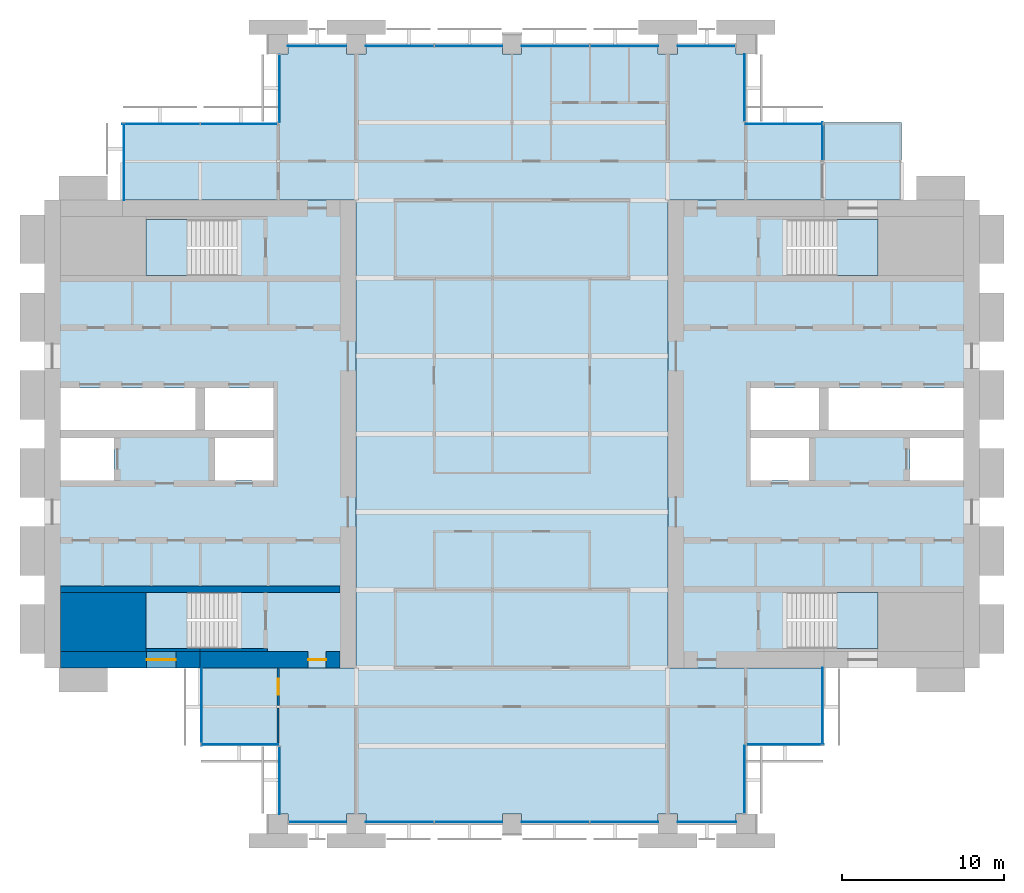
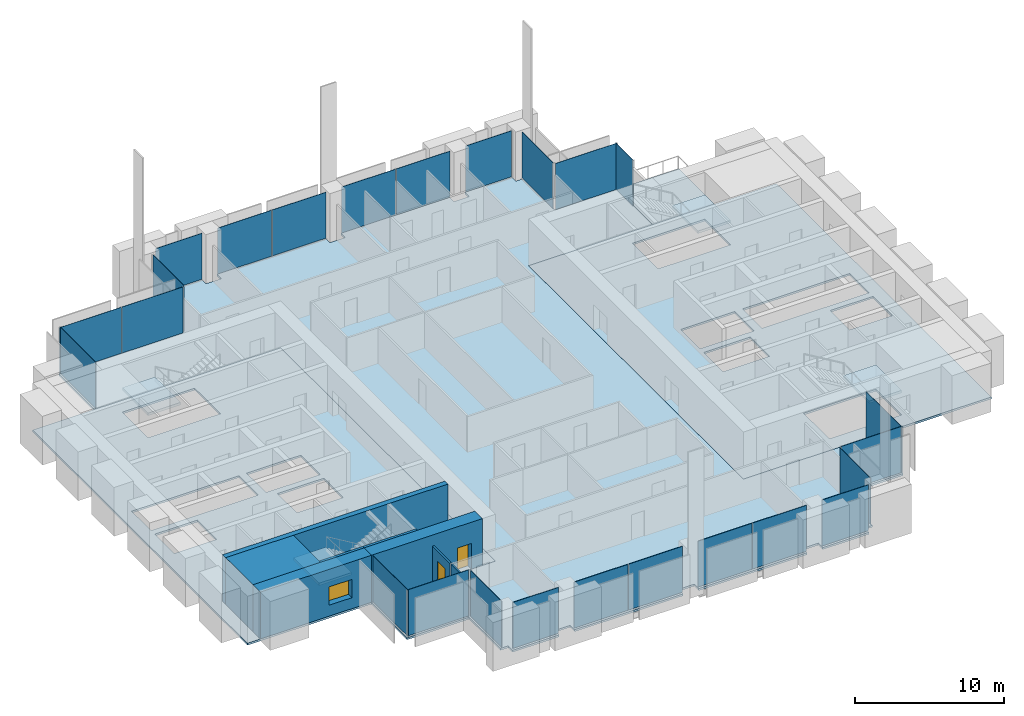
# One storey, part 8 of 14: 25 plates, 8 slabs, 8 walls, 2 doors, 1 window, 3 openings, 18 elements without a shape of their own.
"""IFC4 building model written with IfcOpenShell, lengths in metres."""

import ifcopenshell
import ifcopenshell.guid

model = None  # the IFC model being written
_history = None  # IfcOwnerHistory: only IFC2X3 demands one
_inside = {}  # id of a spatial element -> (the spatial element, [elements in it])
_under = {}  # id of a project, library or spatial element -> (it, [spatial elements below it])
_declared = {}  # id of a project -> (the project, [libraries it declares])
_typed = {}  # id of a type object -> (the type object, [elements of that type])
_made_of = {}  # id of a material, layer set ... -> (it, [elements and type objects made of it])


def new_model(schema):
    """Start an empty IFC model of exactly this schema.

    Asked for "IFC4X3", IfcOpenShell would pick the latest addendum, in which some entities
    have other attributes; the version numbers below select the first issue.
    IFC2X3 requires an IfcOwnerHistory on every rooted entity: one is made here for all.
    """
    global model, _history
    if schema == "IFC4X3":
        model = ifcopenshell.file(schema_version=(4, 3, 0, 0))
    else:
        model = ifcopenshell.file(schema=schema)
    _inside.clear()
    _under.clear()
    _declared.clear()
    _typed.clear()
    _made_of.clear()
    _history = None
    if model.schema == "IFC2X3":
        org = make("IfcOrganization", Name="unknown")
        user = make(
            "IfcPersonAndOrganization",
            ThePerson=make("IfcPerson", FamilyName="unknown"),
            TheOrganization=org,
        )
        app = make(
            "IfcApplication",
            ApplicationDeveloper=org,
            Version="unknown",
            ApplicationFullName="unknown",
            ApplicationIdentifier="unknown",
        )
        _history = make(
            "IfcOwnerHistory",
            OwningUser=user,
            OwningApplication=app,
            ChangeAction="ADDED",
            CreationDate=0,
        )
    return model


def make(cls, **values):
    """One entity of the class cls with the attributes given. An attribute that is None is left unset."""
    return model.create_entity(
        cls, **{name: value for name, value in values.items() if value is not None}
    )


def rooted(cls, **values):
    """An entity with a GlobalId (a new one), such as an element, a storey or a relation."""
    return make(cls, GlobalId=ifcopenshell.guid.new(), OwnerHistory=_history, **values)


def si_unit(unit_type, name, prefix=None):
    """IfcSIUnit, for example si_unit("LENGTHUNIT", "METRE", prefix="MILLI")."""
    return make("IfcSIUnit", UnitType=unit_type, Prefix=prefix, Name=name)


def assignment(units):
    """IfcUnitAssignment: the units of a project."""
    return None if units is None else make("IfcUnitAssignment", Units=units)


def point(xyz):
    """IfcCartesianPoint."""
    return None if xyz is None else make("IfcCartesianPoint", Coordinates=xyz)


def direction(xyz):
    """IfcDirection."""
    return None if xyz is None else make("IfcDirection", DirectionRatios=xyz)


def frame(location, z_axis=None, x_axis=None):
    """IfcAxis2Placement3D, a coordinate frame: its origin and axes. An axis left out is left unset."""
    return make(
        "IfcAxis2Placement3D",
        Location=point(location),
        Axis=direction(z_axis),
        RefDirection=direction(x_axis),
    )


def frame_2d(location, x_axis=None):
    """IfcAxis2Placement2D, a coordinate frame in the plane: its origin and x axis."""
    return make(
        "IfcAxis2Placement2D", Location=point(location), RefDirection=direction(x_axis)
    )


def origin():
    """The frame at (0, 0, 0) with its axes left unset."""
    return frame((0.0, 0.0, 0.0))


def origin_2d():
    """The frame at (0, 0) in the plane with its x axis left unset."""
    return frame_2d((0.0, 0.0))


def place(relative_to, where):
    """IfcLocalPlacement: puts the frame where relative to a parent placement (None: the world)."""
    return make(
        "IfcLocalPlacement", PlacementRelTo=relative_to, RelativePlacement=where
    )


def context(
    kind, dimensions, precision=None, world=None, true_north=None, identifier=None
):
    """IfcGeometricRepresentationContext, for example the 3D "Model" context."""
    return make(
        "IfcGeometricRepresentationContext",
        ContextIdentifier=identifier,
        ContextType=kind,
        CoordinateSpaceDimension=dimensions,
        Precision=precision,
        WorldCoordinateSystem=world,
        TrueNorth=true_north,
    )


def subcontext(parent, identifier, kind, view, scale=None):
    """IfcGeometricRepresentationSubContext, for example "Body" below "Model"."""
    return make(
        "IfcGeometricRepresentationSubContext",
        ContextIdentifier=identifier,
        ContextType=kind,
        ParentContext=parent,
        TargetScale=scale,
        TargetView=view,
    )


def project(units=None, contexts=None):
    """IfcProject with its units and contexts."""
    return rooted(
        "IfcProject",
        Name="project",
        RepresentationContexts=contexts,
        UnitsInContext=assignment(units),
    )


def spatial(cls, under=None, at=None, **own):
    """A site, building, storey or space (cls), placed at a placement, below another one or the project."""
    s = rooted(cls, ObjectPlacement=at, **own)
    if under is not None:
        _under.setdefault(under.id(), (under, []))[1].append(s)
    return s


def polyline(points):
    """IfcPolyline through the points."""
    return make("IfcPolyline", Points=[point(p) for p in points])


def profile(cls, at=None, kind="AREA", **sizes):
    """A parametric profile (cls). Its sizes go by their IFC names, for example OverallWidth=200.0."""
    return make(cls, ProfileType=kind, Position=at, **sizes)


def rectangle(**sizes):
    """IfcRectangleProfileDef."""
    return profile("IfcRectangleProfileDef", **sizes)


def outline(outer, holes=None, kind="AREA"):
    """IfcArbitraryClosedProfileDef: a profile drawn as a closed curve; with holes, ...WithVoids."""
    if holes is None:
        return make("IfcArbitraryClosedProfileDef", ProfileType=kind, OuterCurve=outer)
    return make(
        "IfcArbitraryProfileDefWithVoids",
        ProfileType=kind,
        OuterCurve=outer,
        InnerCurves=holes,
    )


def extrude(swept, where, along, depth):
    """IfcExtrudedAreaSolid: the profile swept, set in the frame where, extruded along a direction by depth."""
    return make(
        "IfcExtrudedAreaSolid",
        SweptArea=swept,
        Position=where,
        ExtrudedDirection=direction(along),
        Depth=depth,
    )


def shape(context_of_items, identifier, shape_type, items):
    """IfcShapeRepresentation: the items that make up one representation, for example the "Body"."""
    return make(
        "IfcShapeRepresentation",
        ContextOfItems=context_of_items,
        RepresentationIdentifier=identifier,
        RepresentationType=shape_type,
        Items=items,
    )


def material(Name=None, Category=None):
    """IfcMaterial."""
    return make("IfcMaterial", Name=Name, Category=Category)


def layer(
    of_material, thickness, ventilated=None, Name=None, Category=None, Priority=None
):
    """IfcMaterialLayer: one layer of a wall or slab, of a material (None: an air gap)."""
    return make(
        "IfcMaterialLayer",
        Material=of_material,
        LayerThickness=thickness,
        IsVentilated=ventilated,
        Name=Name,
        Category=Category,
        Priority=Priority,
    )


def layer_set(layers, Name=None):
    """IfcMaterialLayerSet."""
    return make("IfcMaterialLayerSet", MaterialLayers=layers, LayerSetName=Name)


def made_of(thing, what):
    """Note that an element or type object is made of a material, layer set ...; save() writes the relation."""
    if what is not None:
        _made_of.setdefault(what.id(), (what, []))[1].append(thing)
    return thing


def type_object(cls, material=None, **own):
    """A type object (cls), such as IfcWallType, which elements share."""
    return made_of(rooted(cls, **own), material)


def element(
    cls,
    number,
    at=None,
    inside=None,
    cuts=None,
    type_object=None,
    material=None,
    context=None,
    identifier="Body",
    shape_type=None,
    held_by="IfcProductDefinitionShape",
    body=None,
    shapes=None,
    **own,
):
    """One element of the class cls, such as IfcWall. Its Tag is "e" and its number.

    at: its placement. inside: the storey or other place that contains it. cuts: it is an
    opening in that element (IfcRelVoidsElement). A single representation is given by context,
    identifier, shape_type and body (its items); several are given by shapes. held_by: the class
    of the entity that holds the representations. save() writes the other relations.
    """
    e = rooted(cls, Tag="e%d" % number, ObjectPlacement=at, **own)
    if body is not None:
        shapes = [shape(context, identifier, shape_type, body)]
    if shapes is not None:
        e.Representation = make(held_by, Representations=shapes)
    if inside is not None:
        _inside.setdefault(inside.id(), (inside, []))[1].append(e)
    if cuts is not None:
        rooted(
            "IfcRelVoidsElement", RelatingBuildingElement=cuts, RelatedOpeningElement=e
        )
    if type_object is not None:
        _typed.setdefault(type_object.id(), (type_object, []))[1].append(e)
    return made_of(e, material)


def fill(opening, filler):
    """IfcRelFillsElement: the door or window that sits in an opening."""
    return rooted(
        "IfcRelFillsElement",
        RelatingOpeningElement=opening,
        RelatedBuildingElement=filler,
    )


def aggregate(whole, parts):
    """IfcRelAggregates: a whole, such as a stair, and the parts it consists of."""
    return rooted("IfcRelAggregates", RelatingObject=whole, RelatedObjects=parts)


def save(model, path):
    """Write the relations noted so far, then the file.

    IfcRelAggregates (storeys below a building ...), IfcRelContainedInSpatialStructure (elements
    in a storey), IfcRelDefinesByType, IfcRelAssociatesMaterial and IfcRelDeclares: one each for
    every whole, place, type object, material and project.
    """
    for whole, parts in _under.values():
        aggregate(whole, parts)
    for where, things in _inside.values():
        rooted(
            "IfcRelContainedInSpatialStructure",
            RelatedElements=things,
            RelatingStructure=where,
        )
    for kind, things in _typed.values():
        rooted("IfcRelDefinesByType", RelatedObjects=things, RelatingType=kind)
    for what, things in _made_of.values():
        rooted("IfcRelAssociatesMaterial", RelatedObjects=things, RelatingMaterial=what)
    for by, libraries in _declared.values():
        rooted("IfcRelDeclares", RelatingContext=by, RelatedDefinitions=libraries)
    model.write(path)


model = new_model("IFC4")

# Units and contexts
model_context = context("Model", 3, precision=1e-05, world=origin(), true_north=direction((0.0, 1.0)))
body_context = subcontext(model_context, "Body", "Model", "MODEL_VIEW")
ifc_project = project(units=[si_unit("LENGTHUNIT", "METRE"), si_unit("AREAUNIT", "SQUARE_METRE"), si_unit("VOLUMEUNIT", "CUBIC_METRE"), si_unit("PLANEANGLEUNIT", "RADIAN"), si_unit("MASSUNIT", "GRAM", prefix="KILO")], contexts=[model_context])

# Site, building, storey
site_placement = place(None, origin())
site = spatial("IfcSite", under=ifc_project, at=site_placement, CompositionType="ELEMENT")
building_placement = place(site_placement, origin())
building = spatial("IfcBuilding", under=site, at=building_placement, Name="Baori Bourse Tower", CompositionType="ELEMENT")
storey_placement = place(building_placement, frame((0.0, 0.0, 144.10009765625)))
storey = spatial("IfcBuildingStorey", under=building, at=storey_placement, Name="L31", CompositionType="ELEMENT", Elevation=144.10009765625)

# Curtain wall, plates
ifc_material_1 = material(Name="Pale anodised aluminium", Category="aluminium")
curtain_wall_type_1 = type_object("IfcCurtainWallType", Name="CW1 Curtain wall", PredefinedType="NOTDEFINED", material=ifc_material_1)
curtain_wall_1_placement = place(storey_placement, origin())
curtain_wall_1 = element("IfcCurtainWall", 1, at=curtain_wall_1_placement, inside=storey, type_object=curtain_wall_type_1, Name="Curtain wall CW1 L31 4", PredefinedType="NOTDEFINED")
ifc_material_2 = material(Name="Clear glass", Category="glass")
ifc_layer_1 = layer(ifc_material_2, 0.033935546875)
ifc_layer_set_1 = layer_set([ifc_layer_1], Name="CW1 Curtain wall panel")
plate_type_1 = type_object("IfcPlateType", Name="CW1 Curtain wall panel", PredefinedType="CURTAIN_PANEL", material=ifc_layer_set_1)
plate_1_placement = place(storey_placement, frame((40.77001953125, 47.89990234375, 0.080078125), z_axis=(0.0, 0.0, 1.0), x_axis=(-1.0, 0.0, 0.0)))
plate_1 = element("IfcPlate", 2, at=plate_1_placement, type_object=plate_type_1, Name="Curtain wall CW1 panel", PredefinedType="CURTAIN_PANEL", context=body_context, shape_type="SweptSolid", body=[
    extrude(rectangle(XDim=3.5400390625, YDim=0.033935546875, at=origin_2d()), origin(), (0.0, 0.0, 1.0), 3.760009765625),
])
plate_2_placement = place(storey_placement, frame((35.715087890625, 47.89990234375, 0.080078125), z_axis=(0.0, 0.0, 1.0), x_axis=(-1.0, 0.0, 0.0)))
plate_2 = element("IfcPlate", 3, at=plate_2_placement, type_object=plate_type_1, Name="Curtain wall CW1 panel", PredefinedType="CURTAIN_PANEL", context=body_context, shape_type="SweptSolid", body=[
    extrude(rectangle(XDim=4.169921875, YDim=0.033935546875, at=origin_2d()), origin(), (0.0, 0.0, 1.0), 3.760009765625),
])
plate_3_placement = place(storey_placement, frame((31.485107421875, 47.89990234375, 0.080078125), z_axis=(0.0, 0.0, 1.0), x_axis=(-1.0, 0.0, 0.0)))
plate_3 = element("IfcPlate", 4, at=plate_3_placement, type_object=plate_type_1, Name="Curtain wall CW1 panel", PredefinedType="CURTAIN_PANEL", context=body_context, shape_type="SweptSolid", body=[
    extrude(rectangle(XDim=4.169921875, YDim=0.033935546875, at=origin_2d()), origin(), (0.0, 0.0, 1.0), 3.760009765625),
])
plate_4_placement = place(storey_placement, frame((26.114990234375, 47.89990234375, 0.080078125), z_axis=(0.0, 0.0, 1.0), x_axis=(-1.0, 0.0, 0.0)))
plate_4 = element("IfcPlate", 5, at=plate_4_placement, type_object=plate_type_1, Name="Curtain wall CW1 panel", PredefinedType="CURTAIN_PANEL", context=body_context, shape_type="SweptSolid", body=[
    extrude(rectangle(XDim=4.169921875, YDim=0.033935546875, at=origin_2d()), origin(), (0.0, 0.0, 1.0), 3.760009765625),
])
plate_5_placement = place(storey_placement, frame((21.885009765625, 47.89990234375, 0.080078125), z_axis=(0.0, 0.0, 1.0), x_axis=(-1.0, 0.0, 0.0)))
plate_5 = element("IfcPlate", 6, at=plate_5_placement, type_object=plate_type_1, Name="Curtain wall CW1 panel", PredefinedType="CURTAIN_PANEL", context=body_context, shape_type="SweptSolid", body=[
    extrude(rectangle(XDim=4.169921875, YDim=0.033935546875, at=origin_2d()), origin(), (0.0, 0.0, 1.0), 3.760009765625),
])
plate_6_placement = place(storey_placement, frame((16.800048828125, 47.89990234375, 0.080078125), z_axis=(0.0, 0.0, 1.0), x_axis=(-1.0, 0.0, 0.0)))
plate_6 = element("IfcPlate", 7, at=plate_6_placement, type_object=plate_type_1, Name="Curtain wall CW1 panel", PredefinedType="CURTAIN_PANEL", context=body_context, shape_type="SweptSolid", body=[
    extrude(rectangle(XDim=3.60009765625, YDim=0.033935546875, at=origin_2d()), origin(), (0.0, 0.0, 1.0), 3.760009765625),
])
aggregate(curtain_wall_1, [plate_1, plate_2, plate_3, plate_4, plate_5, plate_6])

curtain_wall_2_placement = place(storey_placement, origin())
curtain_wall_2 = element("IfcCurtainWall", 8, at=curtain_wall_2_placement, inside=storey, type_object=curtain_wall_type_1, Name="Curtain wall CW1 L31 11", PredefinedType="NOTDEFINED")
plate_7_placement = place(storey_placement, frame((16.830078125, 0.10009765625, 0.080078125), z_axis=(0.0, 0.0, 1.0), x_axis=(1.0, 0.0, 0.0)))
plate_7 = element("IfcPlate", 9, at=plate_7_placement, type_object=plate_type_1, Name="Curtain wall CW1 panel", PredefinedType="CURTAIN_PANEL", context=body_context, shape_type="SweptSolid", body=[
    extrude(rectangle(XDim=3.5400390625, YDim=0.033935546875, at=origin_2d()), origin(), (0.0, 0.0, 1.0), 3.760009765625),
])
plate_8_placement = place(storey_placement, frame((21.885009765625, 0.10009765625, 0.080078125), z_axis=(0.0, 0.0, 1.0), x_axis=(1.0, 0.0, 0.0)))
plate_8 = element("IfcPlate", 10, at=plate_8_placement, type_object=plate_type_1, Name="Curtain wall CW1 panel", PredefinedType="CURTAIN_PANEL", context=body_context, shape_type="SweptSolid", body=[
    extrude(rectangle(XDim=4.169921875, YDim=0.033935546875, at=origin_2d()), origin(), (0.0, 0.0, 1.0), 3.760009765625),
])
plate_9_placement = place(storey_placement, frame((26.114990234375, 0.10009765625, 0.080078125), z_axis=(0.0, 0.0, 1.0), x_axis=(1.0, 0.0, 0.0)))
plate_9 = element("IfcPlate", 11, at=plate_9_placement, type_object=plate_type_1, Name="Curtain wall CW1 panel", PredefinedType="CURTAIN_PANEL", context=body_context, shape_type="SweptSolid", body=[
    extrude(rectangle(XDim=4.169921875, YDim=0.033935546875, at=origin_2d()), origin(), (0.0, 0.0, 1.0), 3.760009765625),
])
plate_10_placement = place(storey_placement, frame((31.485107421875, 0.10009765625, 0.080078125), z_axis=(0.0, 0.0, 1.0), x_axis=(1.0, 0.0, 0.0)))
plate_10 = element("IfcPlate", 12, at=plate_10_placement, type_object=plate_type_1, Name="Curtain wall CW1 panel", PredefinedType="CURTAIN_PANEL", context=body_context, shape_type="SweptSolid", body=[
    extrude(rectangle(XDim=4.169921875, YDim=0.033935546875, at=origin_2d()), origin(), (0.0, 0.0, 1.0), 3.760009765625),
])
plate_11_placement = place(storey_placement, frame((35.715087890625, 0.10009765625, 0.080078125), z_axis=(0.0, 0.0, 1.0), x_axis=(1.0, 0.0, 0.0)))
plate_11 = element("IfcPlate", 13, at=plate_11_placement, type_object=plate_type_1, Name="Curtain wall CW1 panel", PredefinedType="CURTAIN_PANEL", context=body_context, shape_type="SweptSolid", body=[
    extrude(rectangle(XDim=4.169921875, YDim=0.033935546875, at=origin_2d()), origin(), (0.0, 0.0, 1.0), 3.760009765625),
])
plate_12_placement = place(storey_placement, frame((40.800048828125, 0.10009765625, 0.080078125), z_axis=(0.0, 0.0, 1.0), x_axis=(1.0, 0.0, 0.0)))
plate_12 = element("IfcPlate", 14, at=plate_12_placement, type_object=plate_type_1, Name="Curtain wall CW1 panel", PredefinedType="CURTAIN_PANEL", context=body_context, shape_type="SweptSolid", body=[
    extrude(rectangle(XDim=3.60009765625, YDim=0.033935546875, at=origin_2d()), origin(), (0.0, 0.0, 1.0), 3.760009765625),
])
aggregate(curtain_wall_2, [plate_7, plate_8, plate_9, plate_10, plate_11, plate_12])

# Curtain wall, plate
ifc_material_3 = material(Name="Pale anodised aluminium", Category="aluminium")
curtain_wall_type_2 = type_object("IfcCurtainWallType", Name="CW2 Curtain wall", PredefinedType="NOTDEFINED", material=ifc_material_3)
curtain_wall_3_placement = place(storey_placement, origin())
curtain_wall_3 = element("IfcCurtainWall", 15, at=curtain_wall_3_placement, inside=storey, type_object=curtain_wall_type_2, Name="Curtain wall CW2 L31 1", PredefinedType="NOTDEFINED")
ifc_material_4 = material(Name="Clear glass", Category="glass")
ifc_layer_2 = layer(ifc_material_4, 0.030029296875)
ifc_layer_set_2 = layer_set([ifc_layer_2], Name="CW2 Curtain wall panel")
plate_type_2 = type_object("IfcPlateType", Name="CW2 Curtain wall panel", PredefinedType="CURTAIN_PANEL", material=ifc_layer_set_2)
plate_13_placement = place(storey_placement, frame((47.909912109375, 42.027587890625, 0.06982421875), z_axis=(0.0, 0.0, 1.0), x_axis=(0.0, 1.0, 0.0)))
plate_13 = element("IfcPlate", 16, at=plate_13_placement, type_object=plate_type_2, Name="Curtain wall CW2 panel", PredefinedType="CURTAIN_PANEL", context=body_context, shape_type="SweptSolid", body=[
    extrude(rectangle(XDim=2.344970703125, YDim=0.030029296875, at=origin_2d()), origin(), (0.0, 0.0, 1.0), 3.77001953125),
])
aggregate(curtain_wall_3, [plate_13])

curtain_wall_4_placement = place(storey_placement, origin())
curtain_wall_4 = element("IfcCurtainWall", 17, at=curtain_wall_4_placement, inside=storey, type_object=curtain_wall_type_2, Name="Curtain wall CW2 L31 2", PredefinedType="NOTDEFINED")
plate_14_placement = place(storey_placement, frame((45.572509765625, 43.110107421875, 0.06982421875), z_axis=(0.0, 0.0, 1.0), x_axis=(-1.0, 0.0, 0.0)))
plate_14 = element("IfcPlate", 18, at=plate_14_placement, type_object=plate_type_2, Name="Curtain wall CW2 panel", PredefinedType="CURTAIN_PANEL", context=body_context, shape_type="SweptSolid", body=[
    extrude(rectangle(XDim=4.7451171875, YDim=0.030029296875, at=origin_2d()), origin(), (0.0, 0.0, 1.0), 3.77001953125),
])
aggregate(curtain_wall_4, [plate_14])

curtain_wall_5_placement = place(storey_placement, origin())
curtain_wall_5 = element("IfcCurtainWall", 19, at=curtain_wall_5_placement, inside=storey, type_object=curtain_wall_type_2, Name="Curtain wall CW2 L31 3", PredefinedType="NOTDEFINED")
plate_15_placement = place(storey_placement, frame((43.110107421875, 45.327392578125, 0.06982421875), z_axis=(0.0, 0.0, 1.0), x_axis=(0.0, 1.0, 0.0)))
plate_15 = element("IfcPlate", 20, at=plate_15_placement, type_object=plate_type_2, Name="Curtain wall CW2 panel", PredefinedType="CURTAIN_PANEL", context=body_context, shape_type="SweptSolid", body=[
    extrude(rectangle(XDim=4.14501953125, YDim=0.030029296875, at=origin_2d()), origin(), (0.0, 0.0, 1.0), 3.77001953125),
])
aggregate(curtain_wall_5, [plate_15])

curtain_wall_6_placement = place(storey_placement, origin())
curtain_wall_6 = element("IfcCurtainWall", 21, at=curtain_wall_6_placement, inside=storey, type_object=curtain_wall_type_2, Name="Curtain wall CW2 L31 5", PredefinedType="NOTDEFINED")
plate_16_placement = place(storey_placement, frame((14.489990234375, 45.2724609375, 0.06982421875), z_axis=(0.0, 0.0, 1.0), x_axis=(0.0, -1.0, 0.0)))
plate_16 = element("IfcPlate", 22, at=plate_16_placement, type_object=plate_type_2, Name="Curtain wall CW2 panel", PredefinedType="CURTAIN_PANEL", context=body_context, shape_type="SweptSolid", body=[
    extrude(rectangle(XDim=4.14501953125, YDim=0.030029296875, at=origin_2d()), origin(), (0.0, 0.0, 1.0), 3.77001953125),
])
aggregate(curtain_wall_6, [plate_16])

# Curtain wall, plates
curtain_wall_7_placement = place(storey_placement, origin())
curtain_wall_7 = element("IfcCurtainWall", 23, at=curtain_wall_7_placement, inside=storey, type_object=curtain_wall_type_2, Name="Curtain wall CW2 L31 6", PredefinedType="NOTDEFINED")
plate_17_placement = place(storey_placement, frame((11.986328125, 43.110107421875, 0.06982421875), z_axis=(0.0, 0.0, 1.0), x_axis=(-1.0, 0.0, 0.0)))
plate_17 = element("IfcPlate", 24, at=plate_17_placement, type_object=plate_type_2, Name="Curtain wall CW2 panel", PredefinedType="CURTAIN_PANEL", context=body_context, shape_type="SweptSolid", body=[
    extrude(rectangle(XDim=4.717529296875, YDim=0.030029296875, at=origin_2d()), origin(), (0.0, 0.0, 1.0), 3.77001953125),
])
plate_18_placement = place(storey_placement, frame((7.186279296875, 43.110107421875, 0.06982421875), z_axis=(0.0, 0.0, 1.0), x_axis=(-1.0, 0.0, 0.0)))
plate_18 = element("IfcPlate", 25, at=plate_18_placement, type_object=plate_type_2, Name="Curtain wall CW2 panel", PredefinedType="CURTAIN_PANEL", context=body_context, shape_type="SweptSolid", body=[
    extrude(rectangle(XDim=4.7724609375, YDim=0.030029296875, at=origin_2d()), origin(), (0.0, 0.0, 1.0), 3.77001953125),
])
aggregate(curtain_wall_7, [plate_17, plate_18])

# Curtain wall, plate
curtain_wall_8_placement = place(storey_placement, origin())
curtain_wall_8 = element("IfcCurtainWall", 26, at=curtain_wall_8_placement, inside=storey, type_object=curtain_wall_type_2, Name="Curtain wall CW2 L31 7", PredefinedType="NOTDEFINED")
plate_19_placement = place(storey_placement, frame((4.889892578125, 40.7724609375, 0.06982421875), z_axis=(0.0, 0.0, 1.0), x_axis=(0.0, -1.0, 0.0)))
plate_19 = element("IfcPlate", 27, at=plate_19_placement, type_object=plate_type_2, Name="Curtain wall CW2 panel", PredefinedType="CURTAIN_PANEL", context=body_context, shape_type="SweptSolid", body=[
    extrude(rectangle(XDim=4.7451171875, YDim=0.030029296875, at=origin_2d()), origin(), (0.0, 0.0, 1.0), 3.77001953125),
])
aggregate(curtain_wall_8, [plate_19])

curtain_wall_9_placement = place(storey_placement, origin())
curtain_wall_9 = element("IfcCurtainWall", 28, at=curtain_wall_9_placement, inside=storey, type_object=curtain_wall_type_2, Name="Curtain wall CW2 L31 8", PredefinedType="NOTDEFINED")
plate_20_placement = place(storey_placement, frame((9.68994140625, 7.172607421875, 0.06982421875), z_axis=(0.0, 0.0, 1.0), x_axis=(0.0, -1.0, 0.0)))
plate_20 = element("IfcPlate", 29, at=plate_20_placement, type_object=plate_type_2, Name="Curtain wall CW2 panel", PredefinedType="CURTAIN_PANEL", context=body_context, shape_type="SweptSolid", body=[
    extrude(rectangle(XDim=4.7451171875, YDim=0.030029296875, at=origin_2d()), origin(), (0.0, 0.0, 1.0), 3.77001953125),
])
aggregate(curtain_wall_9, [plate_20])

curtain_wall_10_placement = place(storey_placement, origin())
curtain_wall_10 = element("IfcCurtainWall", 30, at=curtain_wall_10_placement, inside=storey, type_object=curtain_wall_type_2, Name="Curtain wall CW2 L31 9", PredefinedType="NOTDEFINED")
plate_21_placement = place(storey_placement, frame((12.027587890625, 4.889892578125, 0.06982421875), z_axis=(0.0, 0.0, 1.0), x_axis=(1.0, 0.0, 0.0)))
plate_21 = element("IfcPlate", 31, at=plate_21_placement, type_object=plate_type_2, Name="Curtain wall CW2 panel", PredefinedType="CURTAIN_PANEL", context=body_context, shape_type="SweptSolid", body=[
    extrude(rectangle(XDim=4.7451171875, YDim=0.030029296875, at=origin_2d()), origin(), (0.0, 0.0, 1.0), 3.77001953125),
])
aggregate(curtain_wall_10, [plate_21])

curtain_wall_11_placement = place(storey_placement, origin())
curtain_wall_11 = element("IfcCurtainWall", 32, at=curtain_wall_11_placement, inside=storey, type_object=curtain_wall_type_2, Name="Curtain wall CW2 L31 10", PredefinedType="NOTDEFINED")
plate_22_placement = place(storey_placement, frame((14.489990234375, 2.672607421875, 0.06982421875), z_axis=(0.0, 0.0, 1.0), x_axis=(0.0, -1.0, 0.0)))
plate_22 = element("IfcPlate", 33, at=plate_22_placement, type_object=plate_type_2, Name="Curtain wall CW2 panel", PredefinedType="CURTAIN_PANEL", context=body_context, shape_type="SweptSolid", body=[
    extrude(rectangle(XDim=4.14501953125, YDim=0.030029296875, at=origin_2d()), origin(), (0.0, 0.0, 1.0), 3.77001953125),
])
aggregate(curtain_wall_11, [plate_22])

curtain_wall_12_placement = place(storey_placement, origin())
curtain_wall_12 = element("IfcCurtainWall", 34, at=curtain_wall_12_placement, inside=storey, type_object=curtain_wall_type_2, Name="Curtain wall CW2 L31 12", PredefinedType="NOTDEFINED")
plate_23_placement = place(storey_placement, frame((43.110107421875, 2.7275390625, 0.06982421875), z_axis=(0.0, 0.0, 1.0), x_axis=(0.0, 1.0, 0.0)))
plate_23 = element("IfcPlate", 35, at=plate_23_placement, type_object=plate_type_2, Name="Curtain wall CW2 panel", PredefinedType="CURTAIN_PANEL", context=body_context, shape_type="SweptSolid", body=[
    extrude(rectangle(XDim=4.14501953125, YDim=0.030029296875, at=origin_2d()), origin(), (0.0, 0.0, 1.0), 3.77001953125),
])
aggregate(curtain_wall_12, [plate_23])

curtain_wall_13_placement = place(storey_placement, origin())
curtain_wall_13 = element("IfcCurtainWall", 36, at=curtain_wall_13_placement, inside=storey, type_object=curtain_wall_type_2, Name="Curtain wall CW2 L31 13", PredefinedType="NOTDEFINED")
plate_24_placement = place(storey_placement, frame((45.62744140625, 4.889892578125, 0.06982421875), z_axis=(0.0, 0.0, 1.0), x_axis=(1.0, 0.0, 0.0)))
plate_24 = element("IfcPlate", 37, at=plate_24_placement, type_object=plate_type_2, Name="Curtain wall CW2 panel", PredefinedType="CURTAIN_PANEL", context=body_context, shape_type="SweptSolid", body=[
    extrude(rectangle(XDim=4.7451171875, YDim=0.030029296875, at=origin_2d()), origin(), (0.0, 0.0, 1.0), 3.77001953125),
])
aggregate(curtain_wall_13, [plate_24])

curtain_wall_14_placement = place(storey_placement, origin())
curtain_wall_14 = element("IfcCurtainWall", 38, at=curtain_wall_14_placement, inside=storey, type_object=curtain_wall_type_2, Name="Curtain wall CW2 L31 14", PredefinedType="NOTDEFINED")
plate_25_placement = place(storey_placement, frame((47.909912109375, 7.2275390625, 0.06982421875), z_axis=(0.0, 0.0, 1.0), x_axis=(0.0, 1.0, 0.0)))
plate_25 = element("IfcPlate", 39, at=plate_25_placement, type_object=plate_type_2, Name="Curtain wall CW2 panel", PredefinedType="CURTAIN_PANEL", context=body_context, shape_type="SweptSolid", body=[
    extrude(rectangle(XDim=4.7451171875, YDim=0.030029296875, at=origin_2d()), origin(), (0.0, 0.0, 1.0), 3.77001953125),
])
aggregate(curtain_wall_14, [plate_25])

# Slabs
ifc_material_5 = material(Name="Concrete f'c 50 MPa", Category="concrete")
ifc_layer_3 = layer(ifc_material_5, 0.159912109375)
ifc_layer_set_3 = layer_set([ifc_layer_3], Name="Core slab 160")
slab_type_1 = type_object("IfcSlabType", Name="Core slab 160", PredefinedType="FLOOR", material=ifc_layer_set_3)
slab_1_placement = place(storey_placement, frame((0.0, 0.0, -0.16015625)))
element("IfcSlab", 40, at=slab_1_placement, inside=storey, type_object=slab_type_1, Name="Core floor slab W01", PredefinedType="FLOOR", context=body_context, shape_type="SweptSolid", body=[
    extrude(outline(polyline([(0.0, 38.39990234375), (0.0, 9.60009765625), (19.199951171875, 9.60009765625), (19.199951171875, 38.39990234375), (0.0, 38.39990234375)]), holes=[polyline([(10.5, 21.14990234375), (10.5, 23.75), (14.10009765625, 23.75), (14.10009765625, 21.14990234375), (10.5, 21.14990234375)]), polyline([(14.10009765625, 24.25), (9.89990234375, 24.25), (9.89990234375, 26.85009765625), (14.10009765625, 26.85009765625), (14.10009765625, 24.25)]), polyline([(6.25, 14.25), (11.84912109375, 14.25), (11.84912109375, 10.800048828125), (6.25, 10.800048828125), (6.25, 14.25)]), polyline([(11.84912109375, 37.199951171875), (11.84912109375, 33.75), (6.25, 33.75), (6.25, 37.199951171875), (11.84912109375, 37.199951171875)]), polyline([(1.0, 26.85009765625), (9.300048828125, 26.85009765625), (9.300048828125, 24.25), (1.0, 24.25), (1.0, 26.85009765625)]), polyline([(4.300048828125, 23.75), (4.300048828125, 21.14990234375), (1.0, 21.14990234375), (1.0, 23.75), (4.300048828125, 23.75)])]), origin(), (0.0, 0.0, 1.0), 0.16015625),
])
slab_2_placement = place(storey_placement, frame((0.0, 0.0, -0.16015625)))
element("IfcSlab", 41, at=slab_2_placement, inside=storey, type_object=slab_type_1, Name="Core floor slab E01", PredefinedType="FLOOR", context=body_context, shape_type="SweptSolid", body=[
    extrude(outline(polyline([(57.60009765625, 38.39990234375), (38.39990234375, 38.39990234375), (38.39990234375, 9.60009765625), (57.60009765625, 9.60009765625), (57.60009765625, 38.39990234375)]), holes=[polyline([(56.60009765625, 21.14990234375), (53.300048828125, 21.14990234375), (53.300048828125, 23.75), (56.60009765625, 23.75), (56.60009765625, 21.14990234375)]), polyline([(56.60009765625, 26.85009765625), (56.60009765625, 24.25), (48.300048828125, 24.25), (48.300048828125, 26.85009765625), (56.60009765625, 26.85009765625)]), polyline([(45.750732421875, 14.25), (51.35009765625, 14.25), (51.35009765625, 10.800048828125), (45.750732421875, 10.800048828125), (45.750732421875, 14.25)]), polyline([(51.35009765625, 37.199951171875), (51.35009765625, 33.75), (45.750732421875, 33.75), (45.750732421875, 37.199951171875), (51.35009765625, 37.199951171875)]), polyline([(43.5, 24.25), (43.5, 26.85009765625), (47.699951171875, 26.85009765625), (47.699951171875, 24.25), (43.5, 24.25)]), polyline([(43.5, 23.75), (47.10009765625, 23.75), (47.10009765625, 21.14990234375), (43.5, 21.14990234375), (43.5, 23.75)])]), origin(), (0.0, 0.0, 1.0), 0.16015625),
])

# Stair, slab
ifc_material_6 = material(Name="Concrete f'c 50 MPa", Category="concrete")
stair_type = type_object("IfcStairType", Name="Core stair", PredefinedType="HALF_TURN_STAIR", material=ifc_material_6)
stair_1_placement = place(storey_placement, origin())
stair_1 = element("IfcStair", 42, at=stair_1_placement, inside=storey, type_object=stair_type, Name="L31 Stair WA", PredefinedType="HALF_TURN_STAIR")
ifc_material_7 = material(Name="Concrete f'c 50 MPa", Category="concrete")
slab_type_2 = type_object("IfcSlabType", Name="Core stair landing", PredefinedType="LANDING", material=ifc_material_7)
slab_3_placement = place(storey_placement, frame((0.0, 0.0, 1.7998046875)))
slab_3 = element("IfcSlab", 43, at=slab_3_placement, type_object=slab_type_2, Name="ST1 landing 1", PredefinedType="LANDING", context=body_context, shape_type="SweptSolid", body=[
    extrude(outline(polyline([(8.77001953125, 14.25), (6.25, 14.25), (6.25, 10.800048828125), (8.77001953125, 10.800048828125), (8.77001953125, 14.25)])), origin(), (0.0, 0.0, 1.0), 0.2001953125),
])
aggregate(stair_1, [slab_3])

stair_2_placement = place(storey_placement, origin())
stair_2 = element("IfcStair", 44, at=stair_2_placement, inside=storey, type_object=stair_type, Name="L31 Stair WB", PredefinedType="HALF_TURN_STAIR")
slab_4_placement = place(storey_placement, frame((0.0, 0.0, 1.7998046875)))
slab_4 = element("IfcSlab", 45, at=slab_4_placement, type_object=slab_type_2, Name="ST2 landing 1", PredefinedType="LANDING", context=body_context, shape_type="SweptSolid", body=[
    extrude(outline(polyline([(8.77001953125, 37.199951171875), (6.25, 37.199951171875), (6.25, 33.75), (8.77001953125, 33.75), (8.77001953125, 37.199951171875)])), origin(), (0.0, 0.0, 1.0), 0.2001953125),
])
aggregate(stair_2, [slab_4])

stair_3_placement = place(storey_placement, origin())
stair_3 = element("IfcStair", 46, at=stair_3_placement, inside=storey, type_object=stair_type, Name="L31 Stair EA", PredefinedType="HALF_TURN_STAIR")
slab_5_placement = place(storey_placement, frame((0.0, 0.0, 1.7998046875)))
slab_5 = element("IfcSlab", 47, at=slab_5_placement, type_object=slab_type_2, Name="ST3 landing 1", PredefinedType="LANDING", context=body_context, shape_type="SweptSolid", body=[
    extrude(outline(polyline([(48.830078125, 10.800048828125), (51.35009765625, 10.800048828125), (51.35009765625, 14.25), (48.830078125, 14.25), (48.830078125, 10.800048828125)])), origin(), (0.0, 0.0, 1.0), 0.2001953125),
])
aggregate(stair_3, [slab_5])

stair_4_placement = place(storey_placement, origin())
stair_4 = element("IfcStair", 48, at=stair_4_placement, inside=storey, type_object=stair_type, Name="L31 Stair EB", PredefinedType="HALF_TURN_STAIR")
slab_6_placement = place(storey_placement, frame((0.0, 0.0, 1.7998046875)))
slab_6 = element("IfcSlab", 49, at=slab_6_placement, type_object=slab_type_2, Name="ST4 landing 1", PredefinedType="LANDING", context=body_context, shape_type="SweptSolid", body=[
    extrude(outline(polyline([(48.830078125, 33.75), (51.35009765625, 33.75), (51.35009765625, 37.199951171875), (48.830078125, 37.199951171875), (48.830078125, 33.75)])), origin(), (0.0, 0.0, 1.0), 0.2001953125),
])
aggregate(stair_4, [slab_6])

# Slabs
ifc_material_8 = material(Name="Concrete f'c 40 MPa", Category="concrete")
ifc_layer_4 = layer(ifc_material_8, 0.159912109375)
ifc_layer_set_4 = layer_set([ifc_layer_4], Name="Floor slab 160")
slab_type_3 = type_object("IfcSlabType", Name="Floor slab 160", PredefinedType="FLOOR", material=ifc_layer_set_4)
slab_7_placement = place(storey_placement, frame((0.0, 0.0, -0.16015625)))
element("IfcSlab", 50, at=slab_7_placement, inside=storey, type_object=slab_type_3, Name="Floor slab L31", PredefinedType="FLOOR", context=body_context, shape_type="SweptSolid", body=[
    extrude(outline(polyline([(14.39990234375, 4.800048828125), (9.60009765625, 4.800048828125), (9.60009765625, 9.60009765625), (19.199951171875, 9.60009765625), (19.199951171875, 38.39990234375), (4.800048828125, 38.39990234375), (4.800048828125, 43.199951171875), (14.39990234375, 43.199951171875), (14.39990234375, 47.39990234375), (15.0, 47.39990234375), (15.0, 48.0), (18.60009765625, 48.0), (18.60009765625, 47.39990234375), (19.800048828125, 47.39990234375), (19.800048828125, 48.0), (28.199951171875, 48.0), (28.199951171875, 47.39990234375), (29.39990234375, 47.39990234375), (29.39990234375, 48.0), (37.800048828125, 48.0), (37.800048828125, 47.39990234375), (39.0, 47.39990234375), (39.0, 48.0), (42.60009765625, 48.0), (42.60009765625, 47.39990234375), (43.199951171875, 47.39990234375), (43.199951171875, 43.199951171875), (48.0, 43.199951171875), (48.0, 38.39990234375), (38.39990234375, 38.39990234375), (38.39990234375, 9.60009765625), (48.0, 9.60009765625), (48.0, 4.800048828125), (43.199951171875, 4.800048828125), (43.199951171875, 0.60009765625), (42.60009765625, 0.60009765625), (42.60009765625, 0.0), (39.0, 0.0), (39.0, 0.60009765625), (37.800048828125, 0.60009765625), (37.800048828125, 0.0), (29.39990234375, 0.0), (29.39990234375, 0.60009765625), (28.199951171875, 0.60009765625), (28.199951171875, 0.0), (19.800048828125, 0.0), (19.800048828125, 0.60009765625), (18.60009765625, 0.60009765625), (18.60009765625, 0.0), (15.0, 0.0), (15.0, 0.60009765625), (14.39990234375, 0.60009765625), (14.39990234375, 4.800048828125)])), origin(), (0.0, 0.0, 1.0), 0.16015625),
])
ifc_material_9 = material(Name="Concrete f'c 40 MPa", Category="concrete")
ifc_layer_5 = layer(ifc_material_9, 0.159912109375)
ifc_layer_set_5 = layer_set([ifc_layer_5], Name="Terrace slab 160")
slab_type_4 = type_object("IfcSlabType", Name="Terrace slab 160", PredefinedType="ROOF", material=ifc_layer_set_5)
slab_8_placement = place(storey_placement, frame((0.0, 0.0, -0.16015625)))
element("IfcSlab", 51, at=slab_8_placement, inside=storey, type_object=slab_type_4, Name="Terrace slab NE L31", PredefinedType="ROOF", context=body_context, shape_type="SweptSolid", body=[
    extrude(outline(polyline([(48.0029296875, 43.197021484375), (52.797119140625, 43.197021484375), (52.797119140625, 38.403076171875), (48.0029296875, 38.403076171875), (48.0029296875, 43.197021484375)])), origin(), (0.0, 0.0, 1.0), 0.16015625),
])

# Wall
ifc_material_10 = material(Name="Concrete f'c 60 MPa", Category="concrete")
wall_type_1 = type_object("IfcWallType", Name="Core corner block f'c 60", PredefinedType="SHEAR", material=ifc_material_10)
wall_1_placement = place(storey_placement, frame((1.0, 12.425048828125, 0.0), z_axis=(0.0, 0.0, 1.0), x_axis=(1.0, 0.0, 0.0)))
element("IfcWall", 52, at=wall_1_placement, inside=storey, type_object=wall_type_1, Name="Core wall W05", PredefinedType="SHEAR", context=body_context, shape_type="SweptSolid", body=[
    extrude(rectangle(XDim=5.25, YDim=3.64990234375, at=frame_2d((2.625, 0.0))), origin(), (0.0, 0.0, 1.0), 3.83984375),
])

# Wall, opening, window
ifc_material_11 = material(Name="Concrete f'c 60 MPa", Category="concrete")
ifc_layer_6 = layer(ifc_material_11, 1.0)
ifc_layer_set_6 = layer_set([ifc_layer_6], Name="Core wall 1000 f'c 60")
wall_type_2 = type_object("IfcWallType", Name="Core wall 1000 f'c 60", PredefinedType="SHEAR", material=ifc_layer_set_6)
wall_2_placement = place(storey_placement, frame((9.60009765625, 10.10009765625, 0.0), z_axis=(0.0, 0.0, 1.0), x_axis=(-1.0, 0.0, 0.0)))
wall_2 = element("IfcWall", 53, at=wall_2_placement, inside=storey, type_object=wall_type_2, Name="Core wall W02", PredefinedType="SHEAR", context=body_context, shape_type="SweptSolid", body=[
    extrude(rectangle(XDim=8.60009765625, YDim=1.0, at=frame_2d((4.300048828125, 0.0))), origin(), (0.0, 0.0, 1.0), 3.83984375),
])
opening_1_placement = place(wall_2_placement, frame((1.5, 0.0, 0.89990234375)))
opening_1 = element("IfcOpeningElement", 54, at=opening_1_placement, cuts=wall_2, Name="Opening L31-KW103", PredefinedType="OPENING", context=body_context, shape_type="SweptSolid", body=[
    extrude(rectangle(XDim=1.800048828125, YDim=1.5, at=frame_2d((0.89990234375, 0.75))), frame((0.0, 0.510009765625, 0.0), z_axis=(0.0, -1.0, 0.0), x_axis=(1.0, 0.0, 0.0)), (0.0, 0.0, 1.0), 1.02001953125),
])
ifc_material_12 = material(Name="Pale anodised aluminium", Category="aluminium")
window_type = type_object("IfcWindowType", Name="Stair window 1800 x 1500", PartitioningType="SINGLE_PANEL", PredefinedType="WINDOW", material=ifc_material_12)
window_placement = place(opening_1_placement, origin())
window = element("IfcWindow", 55, at=window_placement, inside=storey, type_object=window_type, Name="Stair window W L31 3", OverallHeight=1.5, OverallWidth=1.800048828125, PartitioningType="SINGLE_PANEL", PredefinedType="WINDOW", context=body_context, shape_type="SweptSolid", body=[
    extrude(rectangle(XDim=1.800048828125, YDim=1.5, at=frame_2d((0.89990234375, 0.75))), frame((0.0, 0.030029296875, 0.0), z_axis=(0.0, -1.0, 0.0), x_axis=(1.0, 0.0, 0.0)), (0.0, 0.0, 1.0), 0.06005859375),
])
fill(opening_1, window)

# Wall, opening, door
wall_3_placement = place(storey_placement, frame((18.199951171875, 10.10009765625, 0.0), z_axis=(0.0, 0.0, 1.0), x_axis=(-1.0, 0.0, 0.0)))
wall_3 = element("IfcWall", 56, at=wall_3_placement, inside=storey, type_object=wall_type_2, Name="Core wall W03", PredefinedType="SHEAR", context=body_context, shape_type="SweptSolid", body=[
    extrude(rectangle(XDim=8.599853515625, YDim=1.0, at=frame_2d((4.2998046875, 0.0))), origin(), (0.0, 0.0, 1.0), 3.83984375),
])
opening_2_placement = place(wall_3_placement, frame((0.85009765625, 0.0, 0.0)))
opening_2 = element("IfcOpeningElement", 57, at=opening_2_placement, cuts=wall_3, Name="Opening L31-D102", PredefinedType="OPENING", context=body_context, shape_type="SweptSolid", body=[
    extrude(rectangle(XDim=1.10009765625, YDim=2.10009765625, at=frame_2d((0.550048828125, 1.050048828125))), frame((0.0, 0.510009765625, 0.0), z_axis=(0.0, -1.0, 0.0), x_axis=(1.0, 0.0, 0.0)), (0.0, 0.0, 1.0), 1.02001953125),
])
ifc_material_13 = material(Name="Painted steel door", Category="steel")
door_type_1 = type_object("IfcDoorType", Name="Stair door 1100", OperationType="SINGLE_SWING_LEFT", PredefinedType="DOOR", material=ifc_material_13)
door_1_placement = place(opening_2_placement, origin())
door_1 = element("IfcDoor", 58, at=door_1_placement, inside=storey, type_object=door_type_1, Name="Stair vestibule door A W L31", OperationType="SINGLE_SWING_LEFT", OverallHeight=2.10009765625, OverallWidth=1.10009765625, PredefinedType="DOOR", context=body_context, shape_type="SweptSolid", body=[
    extrude(rectangle(XDim=1.10009765625, YDim=2.10009765625, at=frame_2d((0.550048828125, 1.050048828125))), frame((0.0, 0.02490234375, 0.0), z_axis=(0.0, -1.0, 0.0), x_axis=(1.0, 0.0, 0.0)), (0.0, 0.0, 1.0), 0.050048828125),
])
fill(opening_2, door_1)

ifc_material_14 = material(Name="Gypsum board partition")
ifc_layer_7 = layer(ifc_material_14, 0.14990234375)
ifc_layer_set_7 = layer_set([ifc_layer_7], Name="Corridor partition 150")
wall_type_3 = type_object("IfcWallType", Name="Corridor partition 150", PredefinedType="PARTITIONING", material=ifc_layer_set_7)
wall_4_placement = place(storey_placement, frame((14.39990234375, 7.27490234375, 0.0), z_axis=(0.0, 0.0, 1.0), x_axis=(0.0, 1.0, 0.0)))
wall_4 = element("IfcWall", 59, at=wall_4_placement, inside=storey, type_object=wall_type_3, Name="Partition", PredefinedType="PARTITIONING", context=body_context, shape_type="SweptSolid", body=[
    extrude(rectangle(XDim=2.3251953125, YDim=0.14990234375, at=frame_2d((1.16259765625, 0.0))), origin(), (0.0, 0.0, 1.0), 2.935546875),
])
opening_3_placement = place(wall_4_placement, frame((0.66259765625, 0.0, 0.0)))
opening_3 = element("IfcOpeningElement", 60, at=opening_3_placement, cuts=wall_4, Name="Opening L31-D18", PredefinedType="OPENING", context=body_context, shape_type="SweptSolid", body=[
    extrude(rectangle(XDim=1.0, YDim=2.10009765625, at=frame_2d((0.5, 1.050048828125))), frame((0.0, 0.0849609375, 0.0), z_axis=(0.0, -1.0, 0.0), x_axis=(1.0, 0.0, 0.0)), (0.0, 0.0, 1.0), 0.169921875),
])
ifc_material_15 = material(Name="Timber door leaf", Category="wood")
door_type_2 = type_object("IfcDoorType", Name="Door 1000 x 2100", OperationType="SINGLE_SWING_LEFT", PredefinedType="DOOR", material=ifc_material_15)
door_2_placement = place(opening_3_placement, origin())
door_2 = element("IfcDoor", 61, at=door_2_placement, inside=storey, type_object=door_type_2, Name="Door", OperationType="SINGLE_SWING_RIGHT", OverallHeight=2.10009765625, OverallWidth=1.0, PredefinedType="DOOR", context=body_context, shape_type="SweptSolid", body=[
    extrude(rectangle(XDim=1.0, YDim=2.10009765625, at=frame_2d((0.5, 1.050048828125))), frame((0.0, 0.02490234375, 0.0), z_axis=(0.0, -1.0, 0.0), x_axis=(1.0, 0.0, 0.0)), (0.0, 0.0, 1.0), 0.050048828125),
])
fill(opening_3, door_2)

# Walls
ifc_material_16 = material(Name="Gypsum board partition")
ifc_layer_8 = layer(ifc_material_16, 0.125)
ifc_layer_set_8 = layer_set([ifc_layer_8], Name="Partition 125")
wall_type_4 = type_object("IfcWallType", Name="Partition 125", PredefinedType="PARTITIONING", material=ifc_layer_set_8)
wall_5_placement = place(storey_placement, frame((14.39990234375, 4.89990234375, 0.0), z_axis=(0.0, 0.0, 1.0), x_axis=(0.0, 1.0, 0.0)))
element("IfcWall", 62, at=wall_5_placement, inside=storey, type_object=wall_type_4, Name="Partition", PredefinedType="PARTITIONING", context=body_context, shape_type="SweptSolid", body=[
    extrude(rectangle(XDim=2.22509765625, YDim=0.125, at=frame_2d((1.112548828125, 0.0))), origin(), (0.0, 0.0, 1.0), 2.935546875),
])
ifc_material_17 = material(Name="Concrete f'c 60 MPa", Category="concrete")
ifc_layer_9 = layer(ifc_material_17, 0.199951171875)
ifc_layer_set_9 = layer_set([ifc_layer_9], Name="Shaft wall 200 f'c 60")
wall_type_5 = type_object("IfcWallType", Name="Shaft wall 200 f'c 60", PredefinedType="SHEAR", material=ifc_layer_set_9)
wall_6_placement = place(storey_placement, frame((6.25, 10.699951171875, 0.0), z_axis=(0.0, 0.0, 1.0), x_axis=(1.0, 0.0, 0.0)))
element("IfcWall", 63, at=wall_6_placement, inside=storey, type_object=wall_type_5, Name="Core wall W06", PredefinedType="SHEAR", context=body_context, shape_type="SweptSolid", body=[
    extrude(rectangle(XDim=3.35009765625, YDim=0.199951171875, at=frame_2d((1.675048828125, 0.0))), origin(), (0.0, 0.0, 1.0), 3.83984375),
])
wall_7_placement = place(storey_placement, frame((9.60009765625, 10.699951171875, 0.0), z_axis=(0.0, 0.0, 1.0), x_axis=(1.0, 0.0, 0.0)))
element("IfcWall", 64, at=wall_7_placement, inside=storey, type_object=wall_type_5, Name="Core wall W07", PredefinedType="SHEAR", context=body_context, shape_type="SweptSolid", body=[
    extrude(rectangle(XDim=4.14990234375, YDim=0.199951171875, at=frame_2d((2.074951171875, 0.0))), origin(), (0.0, 0.0, 1.0), 3.83984375),
])
ifc_material_18 = material(Name="Concrete f'c 60 MPa", Category="concrete")
ifc_layer_10 = layer(ifc_material_18, 0.39990234375)
ifc_layer_set_10 = layer_set([ifc_layer_10], Name="Shaft wall 400 f'c 60")
wall_type_6 = type_object("IfcWallType", Name="Shaft wall 400 f'c 60", PredefinedType="SHEAR", material=ifc_layer_set_10)
wall_8_placement = place(storey_placement, frame((1.0, 14.449951171875, 0.0), z_axis=(0.0, 0.0, 1.0), x_axis=(1.0, 0.0, 0.0)))
element("IfcWall", 65, at=wall_8_placement, inside=storey, type_object=wall_type_6, Name="Core wall W09", PredefinedType="SHEAR", context=body_context, shape_type="SweptSolid", body=[
    extrude(rectangle(XDim=17.199951171875, YDim=0.39990234375, at=frame_2d((8.60009765625, 0.0))), origin(), (0.0, 0.0, 1.0), 3.83984375),
])

save(model, "model.ifc")
